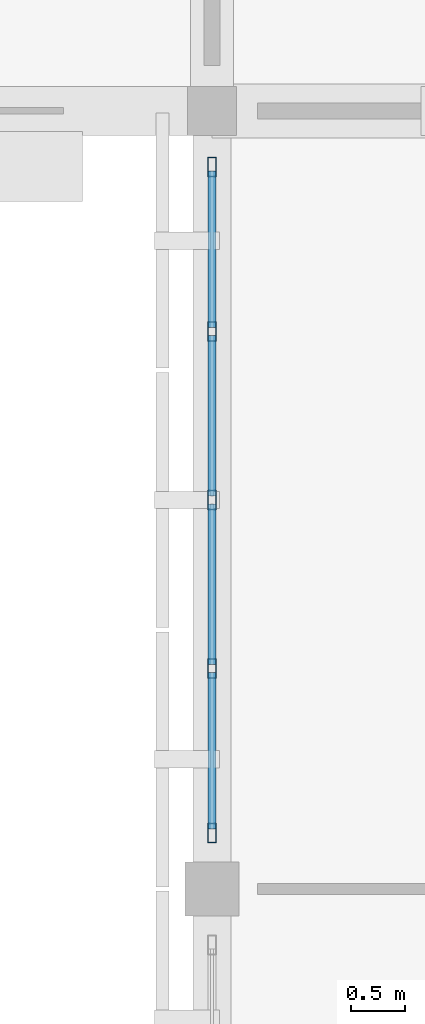
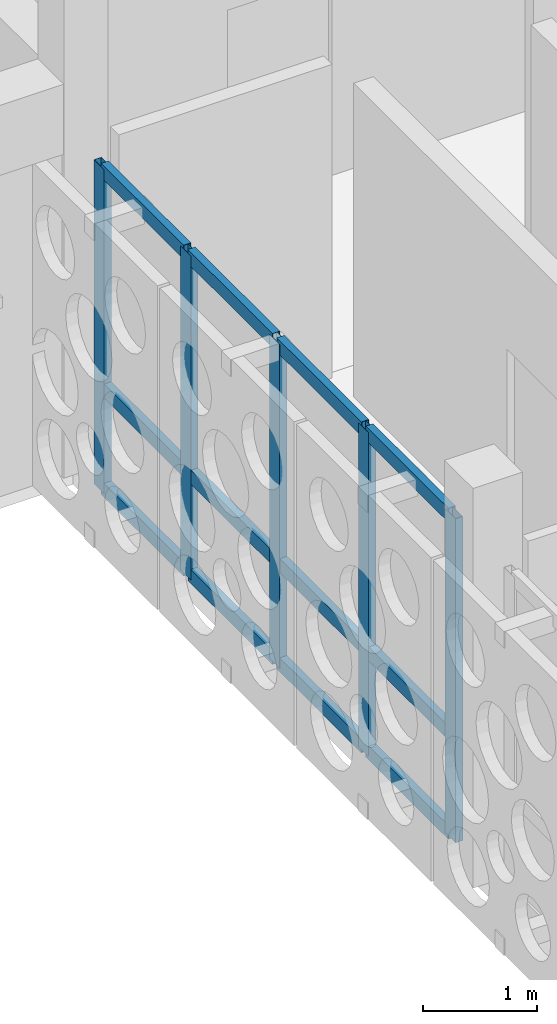
# One storey, part 21 of 171: 17 members, 1 element without a shape of its own.
"""IFC4 building model written with IfcOpenShell, lengths in metres."""

from ifc_helpers import new_model, si_unit, direction, frame, origin, origin_2d, place, context, subcontext, project, spatial, hollow_rectangle, extrude, material, material_profile, profile_set, type_object, element, aggregate, save


model = new_model("IFC4")

# Units and contexts
model_context = context("Model", 3, precision=1e-05, world=origin(), true_north=direction((0.0, 1.0)))
body_context = subcontext(model_context, "Body", "Model", "MODEL_VIEW")
ifc_project = project(units=[si_unit("LENGTHUNIT", "METRE"), si_unit("AREAUNIT", "SQUARE_METRE"), si_unit("VOLUMEUNIT", "CUBIC_METRE"), si_unit("PLANEANGLEUNIT", "RADIAN"), si_unit("MASSUNIT", "GRAM", prefix="KILO")], contexts=[model_context])

# Site, building, storey
site_placement = place(None, origin())
site = spatial("IfcSite", under=ifc_project, at=site_placement, CompositionType="ELEMENT")
building_placement = place(site_placement, origin())
building = spatial("IfcBuilding", under=site, at=building_placement, Name="Aldebral Square Health Centre", CompositionType="ELEMENT")
storey_placement = place(building_placement, frame((0.0, 0.0, 4.5)))
storey = spatial("IfcBuildingStorey", under=building, at=storey_placement, Name="L01", CompositionType="ELEMENT", Elevation=4.5)

# Curtain wall, members
ifc_material_1 = material(Name="Aluminium and low-E solar glass", Category="aluminium")
curtain_wall_type = type_object("IfcCurtainWallType", Name="CW-HALL-SYS", PredefinedType="USERDEFINED", material=ifc_material_1)
curtain_wall_placement = place(storey_placement, origin())
curtain_wall = element("IfcCurtainWall", 1, at=curtain_wall_placement, inside=storey, type_object=curtain_wall_type, Name="L01 V1 hall curtain wall L01-V1-09-11-W", ObjectType="HALL_CURTAIN_WALL", PredefinedType="USERDEFINED")
ifc_material_2 = material(Name="Anodised aluminium mullion", Category="aluminium")
ifc_material_profile_1 = material_profile(ifc_material_2, hollow_rectangle(XDim=0.074951171875, YDim=0.179931640625, WallThickness=0.00390625, at=origin_2d()), Name="CWM 75x180x4")
ifc_profile_set_1 = profile_set([ifc_material_profile_1], Name="Anodised aluminium mullion")
member_type_1 = type_object("IfcMemberType", Name="CWM-STD", PredefinedType="MULLION", material=ifc_profile_set_1)
member_1_placement = place(storey_placement, frame((64.800048828125, 85.882568359375, 0.0), z_axis=(0.0, 0.0, 1.0), x_axis=(1.0, 0.0, 0.0)))
member_1 = element("IfcMember", 2, at=member_1_placement, type_object=member_type_1, Name="CW2 mullion 1", PredefinedType="MULLION", context=body_context, shape_type="SweptSolid", body=[
    extrude(hollow_rectangle(XDim=0.074951171875, YDim=0.179931640625, WallThickness=0.00390625, at=origin_2d()), origin(), (0.0, 0.0, 1.0), 3.469970703125),
])
member_2_placement = place(storey_placement, frame((64.800048828125, 84.360107421875, 0.0), z_axis=(0.0, 0.0, 1.0), x_axis=(1.0, 0.0, 0.0)))
member_2 = element("IfcMember", 3, at=member_2_placement, type_object=member_type_1, Name="CW2 mullion 2", PredefinedType="MULLION", context=body_context, shape_type="SweptSolid", body=[
    extrude(hollow_rectangle(XDim=0.074951171875, YDim=0.179931640625, WallThickness=0.00390625, at=origin_2d()), origin(), (0.0, 0.0, 1.0), 3.469970703125),
])
member_3_placement = place(storey_placement, frame((64.800048828125, 82.800048828125, 0.0), z_axis=(0.0, 0.0, 1.0), x_axis=(1.0, 0.0, 0.0)))
member_3 = element("IfcMember", 4, at=member_3_placement, type_object=member_type_1, Name="CW2 mullion 3", PredefinedType="MULLION", context=body_context, shape_type="SweptSolid", body=[
    extrude(hollow_rectangle(XDim=0.074951171875, YDim=0.179931640625, WallThickness=0.00390625, at=origin_2d()), origin(), (0.0, 0.0, 1.0), 3.469970703125),
])
member_4_placement = place(storey_placement, frame((64.800048828125, 81.239990234375, 0.0), z_axis=(0.0, 0.0, 1.0), x_axis=(1.0, 0.0, 0.0)))
member_4 = element("IfcMember", 5, at=member_4_placement, type_object=member_type_1, Name="CW2 mullion 4", PredefinedType="MULLION", context=body_context, shape_type="SweptSolid", body=[
    extrude(hollow_rectangle(XDim=0.074951171875, YDim=0.179931640625, WallThickness=0.00390625, at=origin_2d()), origin(), (0.0, 0.0, 1.0), 3.469970703125),
])
member_5_placement = place(storey_placement, frame((64.800048828125, 79.717529296875, 0.0), z_axis=(0.0, 0.0, 1.0), x_axis=(1.0, 0.0, 0.0)))
member_5 = element("IfcMember", 6, at=member_5_placement, type_object=member_type_1, Name="CW2 mullion 5", PredefinedType="MULLION", context=body_context, shape_type="SweptSolid", body=[
    extrude(hollow_rectangle(XDim=0.074951171875, YDim=0.179931640625, WallThickness=0.00390625, at=origin_2d()), origin(), (0.0, 0.0, 1.0), 3.469970703125),
])
ifc_material_3 = material(Name="Anodised aluminium transom", Category="aluminium")
ifc_material_profile_2 = material_profile(ifc_material_3, hollow_rectangle(XDim=0.074951171875, YDim=0.14990234375, WallThickness=0.00390625, at=origin_2d()), Name="CWT 75x150x4")
ifc_profile_set_2 = profile_set([ifc_material_profile_2], Name="Anodised aluminium transom")
member_type_2 = type_object("IfcMemberType", Name="CWT-STD", PredefinedType="USERDEFINED", material=ifc_profile_set_2)
member_6_placement = place(storey_placement, frame((64.800048828125, 85.844970703125, 0.03759765625), z_axis=(0.0, -1.0, 0.0), x_axis=(1.0, 0.0, 0.0)))
member_6 = element("IfcMember", 7, at=member_6_placement, type_object=member_type_2, Name="CW2 transom 1.1", ObjectType="TRANSOM", PredefinedType="USERDEFINED", context=body_context, shape_type="SweptSolid", body=[
    extrude(hollow_rectangle(XDim=0.074951171875, YDim=0.14990234375, WallThickness=0.00390625, at=origin_2d()), origin(), (0.0, 0.0, 1.0), 1.447509765625),
])
member_7_placement = place(storey_placement, frame((64.800048828125, 85.844970703125, 1.10009765625), z_axis=(0.0, -1.0, 0.0), x_axis=(1.0, 0.0, 0.0)))
member_7 = element("IfcMember", 8, at=member_7_placement, type_object=member_type_2, Name="CW2 transom 1.2", ObjectType="TRANSOM", PredefinedType="USERDEFINED", context=body_context, shape_type="SweptSolid", body=[
    extrude(hollow_rectangle(XDim=0.074951171875, YDim=0.14990234375, WallThickness=0.00390625, at=origin_2d()), origin(), (0.0, 0.0, 1.0), 1.447509765625),
])
member_8_placement = place(storey_placement, frame((64.800048828125, 85.844970703125, 3.4326171875), z_axis=(0.0, -1.0, 0.0), x_axis=(1.0, 0.0, 0.0)))
member_8 = element("IfcMember", 9, at=member_8_placement, type_object=member_type_2, Name="CW2 transom 1.3", ObjectType="TRANSOM", PredefinedType="USERDEFINED", context=body_context, shape_type="SweptSolid", body=[
    extrude(hollow_rectangle(XDim=0.074951171875, YDim=0.14990234375, WallThickness=0.00390625, at=origin_2d()), origin(), (0.0, 0.0, 1.0), 1.447509765625),
])
member_9_placement = place(storey_placement, frame((64.800048828125, 84.322509765625, 0.03759765625), z_axis=(0.0, -1.0, 0.0), x_axis=(1.0, 0.0, 0.0)))
member_9 = element("IfcMember", 10, at=member_9_placement, type_object=member_type_2, Name="CW2 transom 2.1", ObjectType="TRANSOM", PredefinedType="USERDEFINED", context=body_context, shape_type="SweptSolid", body=[
    extrude(hollow_rectangle(XDim=0.074951171875, YDim=0.14990234375, WallThickness=0.00390625, at=origin_2d()), origin(), (0.0, 0.0, 1.0), 1.485107421875),
])
member_10_placement = place(storey_placement, frame((64.800048828125, 84.322509765625, 1.10009765625), z_axis=(0.0, -1.0, 0.0), x_axis=(1.0, 0.0, 0.0)))
member_10 = element("IfcMember", 11, at=member_10_placement, type_object=member_type_2, Name="CW2 transom 2.2", ObjectType="TRANSOM", PredefinedType="USERDEFINED", context=body_context, shape_type="SweptSolid", body=[
    extrude(hollow_rectangle(XDim=0.074951171875, YDim=0.14990234375, WallThickness=0.00390625, at=origin_2d()), origin(), (0.0, 0.0, 1.0), 1.485107421875),
])
member_11_placement = place(storey_placement, frame((64.800048828125, 84.322509765625, 3.4326171875), z_axis=(0.0, -1.0, 0.0), x_axis=(1.0, 0.0, 0.0)))
member_11 = element("IfcMember", 12, at=member_11_placement, type_object=member_type_2, Name="CW2 transom 2.3", ObjectType="TRANSOM", PredefinedType="USERDEFINED", context=body_context, shape_type="SweptSolid", body=[
    extrude(hollow_rectangle(XDim=0.074951171875, YDim=0.14990234375, WallThickness=0.00390625, at=origin_2d()), origin(), (0.0, 0.0, 1.0), 1.485107421875),
])
member_12_placement = place(storey_placement, frame((64.800048828125, 82.762451171875, 0.03759765625), z_axis=(0.0, -1.0, 0.0), x_axis=(1.0, 0.0, 0.0)))
member_12 = element("IfcMember", 13, at=member_12_placement, type_object=member_type_2, Name="CW2 transom 3.1", ObjectType="TRANSOM", PredefinedType="USERDEFINED", context=body_context, shape_type="SweptSolid", body=[
    extrude(hollow_rectangle(XDim=0.074951171875, YDim=0.14990234375, WallThickness=0.00390625, at=origin_2d()), origin(), (0.0, 0.0, 1.0), 1.48486328125),
])
member_13_placement = place(storey_placement, frame((64.800048828125, 82.762451171875, 1.10009765625), z_axis=(0.0, -1.0, 0.0), x_axis=(1.0, 0.0, 0.0)))
member_13 = element("IfcMember", 14, at=member_13_placement, type_object=member_type_2, Name="CW2 transom 3.2", ObjectType="TRANSOM", PredefinedType="USERDEFINED", context=body_context, shape_type="SweptSolid", body=[
    extrude(hollow_rectangle(XDim=0.074951171875, YDim=0.14990234375, WallThickness=0.00390625, at=origin_2d()), origin(), (0.0, 0.0, 1.0), 1.48486328125),
])
member_14_placement = place(storey_placement, frame((64.800048828125, 82.762451171875, 3.4326171875), z_axis=(0.0, -1.0, 0.0), x_axis=(1.0, 0.0, 0.0)))
member_14 = element("IfcMember", 15, at=member_14_placement, type_object=member_type_2, Name="CW2 transom 3.3", ObjectType="TRANSOM", PredefinedType="USERDEFINED", context=body_context, shape_type="SweptSolid", body=[
    extrude(hollow_rectangle(XDim=0.074951171875, YDim=0.14990234375, WallThickness=0.00390625, at=origin_2d()), origin(), (0.0, 0.0, 1.0), 1.48486328125),
])
member_15_placement = place(storey_placement, frame((64.800048828125, 81.202392578125, 0.03759765625), z_axis=(0.0, -1.0, 0.0), x_axis=(1.0, 0.0, 0.0)))
member_15 = element("IfcMember", 16, at=member_15_placement, type_object=member_type_2, Name="CW2 transom 4.1", ObjectType="TRANSOM", PredefinedType="USERDEFINED", context=body_context, shape_type="SweptSolid", body=[
    extrude(hollow_rectangle(XDim=0.074951171875, YDim=0.14990234375, WallThickness=0.00390625, at=origin_2d()), origin(), (0.0, 0.0, 1.0), 1.447509765625),
])
member_16_placement = place(storey_placement, frame((64.800048828125, 81.202392578125, 1.10009765625), z_axis=(0.0, -1.0, 0.0), x_axis=(1.0, 0.0, 0.0)))
member_16 = element("IfcMember", 17, at=member_16_placement, type_object=member_type_2, Name="CW2 transom 4.2", ObjectType="TRANSOM", PredefinedType="USERDEFINED", context=body_context, shape_type="SweptSolid", body=[
    extrude(hollow_rectangle(XDim=0.074951171875, YDim=0.14990234375, WallThickness=0.00390625, at=origin_2d()), origin(), (0.0, 0.0, 1.0), 1.447509765625),
])
member_17_placement = place(storey_placement, frame((64.800048828125, 81.202392578125, 3.4326171875), z_axis=(0.0, -1.0, 0.0), x_axis=(1.0, 0.0, 0.0)))
member_17 = element("IfcMember", 18, at=member_17_placement, type_object=member_type_2, Name="CW2 transom 4.3", ObjectType="TRANSOM", PredefinedType="USERDEFINED", context=body_context, shape_type="SweptSolid", body=[
    extrude(hollow_rectangle(XDim=0.074951171875, YDim=0.14990234375, WallThickness=0.00390625, at=origin_2d()), origin(), (0.0, 0.0, 1.0), 1.447509765625),
])
aggregate(curtain_wall, [member_1, member_2, member_3, member_4, member_5, member_6, member_7, member_8, member_9, member_10, member_11, member_12, member_13, member_14, member_15, member_16, member_17])

save(model, "model.ifc")
